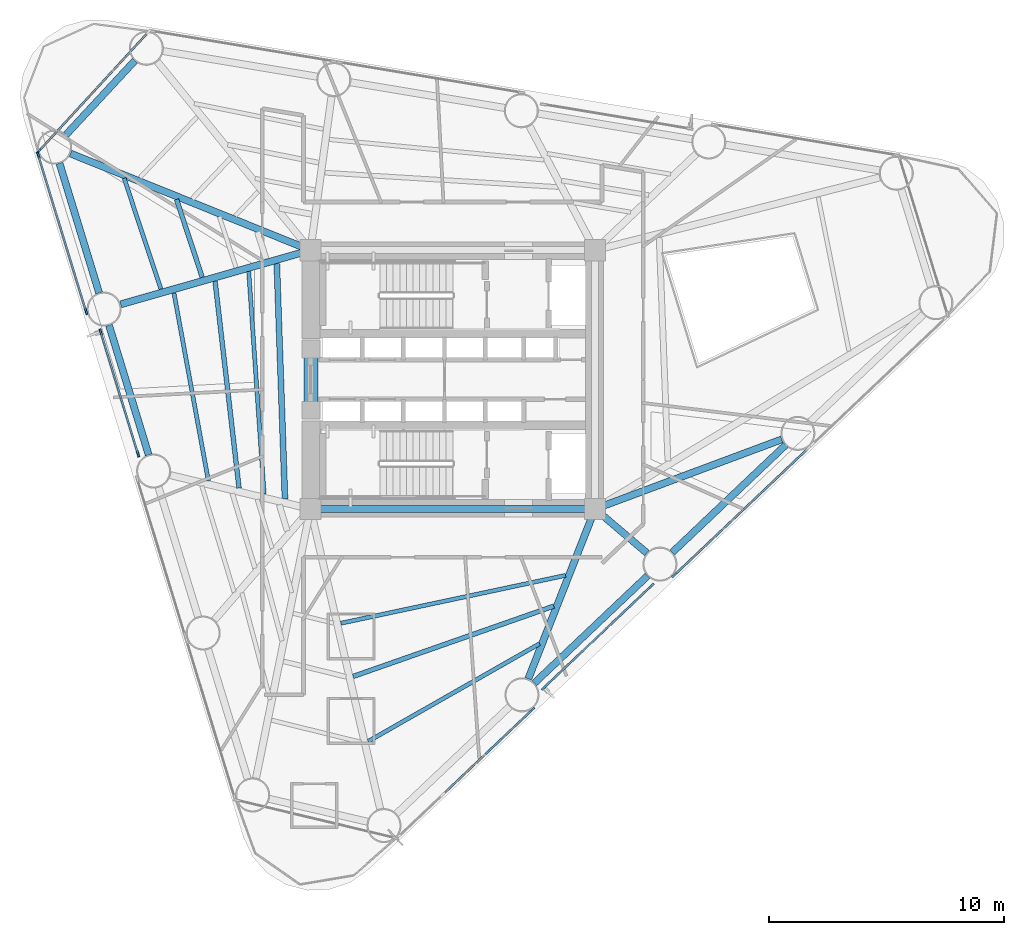
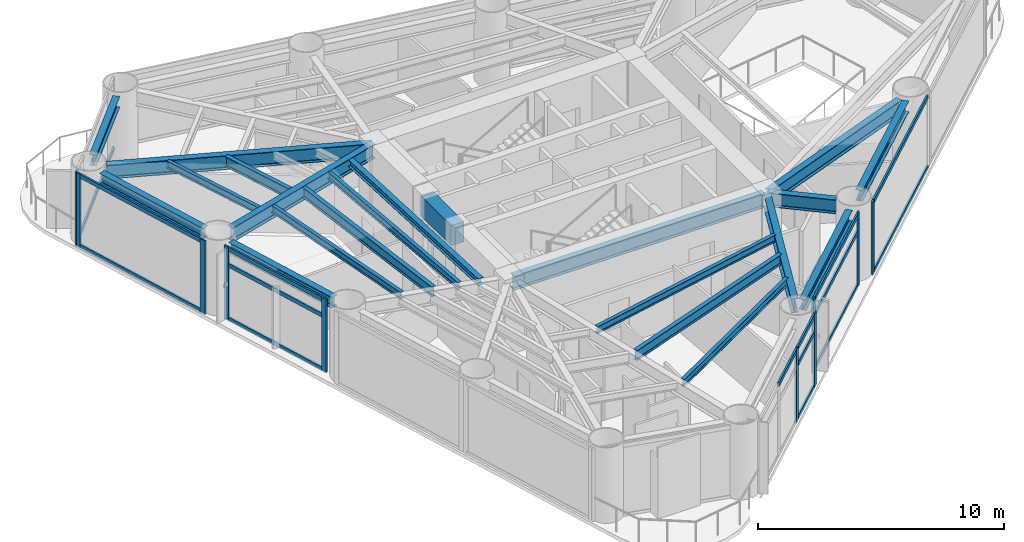
# One storey, part 2 of 10: 25 members, 21 beams, 6 elements without a shape of their own.
"""IFC4 building model written with IfcOpenShell, lengths in metres."""

import ifcopenshell
import ifcopenshell.guid

model = None  # the IFC model being written
_history = None  # IfcOwnerHistory: only IFC2X3 demands one
_inside = {}  # id of a spatial element -> (the spatial element, [elements in it])
_under = {}  # id of a project, library or spatial element -> (it, [spatial elements below it])
_declared = {}  # id of a project -> (the project, [libraries it declares])
_typed = {}  # id of a type object -> (the type object, [elements of that type])
_made_of = {}  # id of a material, layer set ... -> (it, [elements and type objects made of it])


def new_model(schema):
    """Start an empty IFC model of exactly this schema.

    Asked for "IFC4X3", IfcOpenShell would pick the latest addendum, in which some entities
    have other attributes; the version numbers below select the first issue.
    IFC2X3 requires an IfcOwnerHistory on every rooted entity: one is made here for all.
    """
    global model, _history
    if schema == "IFC4X3":
        model = ifcopenshell.file(schema_version=(4, 3, 0, 0))
    else:
        model = ifcopenshell.file(schema=schema)
    _inside.clear()
    _under.clear()
    _declared.clear()
    _typed.clear()
    _made_of.clear()
    _history = None
    if model.schema == "IFC2X3":
        org = make("IfcOrganization", Name="unknown")
        user = make(
            "IfcPersonAndOrganization",
            ThePerson=make("IfcPerson", FamilyName="unknown"),
            TheOrganization=org,
        )
        app = make(
            "IfcApplication",
            ApplicationDeveloper=org,
            Version="unknown",
            ApplicationFullName="unknown",
            ApplicationIdentifier="unknown",
        )
        _history = make(
            "IfcOwnerHistory",
            OwningUser=user,
            OwningApplication=app,
            ChangeAction="ADDED",
            CreationDate=0,
        )
    return model


def make(cls, **values):
    """One entity of the class cls with the attributes given. An attribute that is None is left unset."""
    return model.create_entity(
        cls, **{name: value for name, value in values.items() if value is not None}
    )


def rooted(cls, **values):
    """An entity with a GlobalId (a new one), such as an element, a storey or a relation."""
    return make(cls, GlobalId=ifcopenshell.guid.new(), OwnerHistory=_history, **values)


def si_unit(unit_type, name, prefix=None):
    """IfcSIUnit, for example si_unit("LENGTHUNIT", "METRE", prefix="MILLI")."""
    return make("IfcSIUnit", UnitType=unit_type, Prefix=prefix, Name=name)


def assignment(units):
    """IfcUnitAssignment: the units of a project."""
    return None if units is None else make("IfcUnitAssignment", Units=units)


def point(xyz):
    """IfcCartesianPoint."""
    return None if xyz is None else make("IfcCartesianPoint", Coordinates=xyz)


def direction(xyz):
    """IfcDirection."""
    return None if xyz is None else make("IfcDirection", DirectionRatios=xyz)


def frame(location, z_axis=None, x_axis=None):
    """IfcAxis2Placement3D, a coordinate frame: its origin and axes. An axis left out is left unset."""
    return make(
        "IfcAxis2Placement3D",
        Location=point(location),
        Axis=direction(z_axis),
        RefDirection=direction(x_axis),
    )


def frame_2d(location, x_axis=None):
    """IfcAxis2Placement2D, a coordinate frame in the plane: its origin and x axis."""
    return make(
        "IfcAxis2Placement2D", Location=point(location), RefDirection=direction(x_axis)
    )


def origin():
    """The frame at (0, 0, 0) with its axes left unset."""
    return frame((0.0, 0.0, 0.0))


def origin_2d():
    """The frame at (0, 0) in the plane with its x axis left unset."""
    return frame_2d((0.0, 0.0))


def place(relative_to, where):
    """IfcLocalPlacement: puts the frame where relative to a parent placement (None: the world)."""
    return make(
        "IfcLocalPlacement", PlacementRelTo=relative_to, RelativePlacement=where
    )


def context(
    kind, dimensions, precision=None, world=None, true_north=None, identifier=None
):
    """IfcGeometricRepresentationContext, for example the 3D "Model" context."""
    return make(
        "IfcGeometricRepresentationContext",
        ContextIdentifier=identifier,
        ContextType=kind,
        CoordinateSpaceDimension=dimensions,
        Precision=precision,
        WorldCoordinateSystem=world,
        TrueNorth=true_north,
    )


def subcontext(parent, identifier, kind, view, scale=None):
    """IfcGeometricRepresentationSubContext, for example "Body" below "Model"."""
    return make(
        "IfcGeometricRepresentationSubContext",
        ContextIdentifier=identifier,
        ContextType=kind,
        ParentContext=parent,
        TargetScale=scale,
        TargetView=view,
    )


def project(units=None, contexts=None):
    """IfcProject with its units and contexts."""
    return rooted(
        "IfcProject",
        Name="project",
        RepresentationContexts=contexts,
        UnitsInContext=assignment(units),
    )


def spatial(cls, under=None, at=None, **own):
    """A site, building, storey or space (cls), placed at a placement, below another one or the project."""
    s = rooted(cls, ObjectPlacement=at, **own)
    if under is not None:
        _under.setdefault(under.id(), (under, []))[1].append(s)
    return s


def profile(cls, at=None, kind="AREA", **sizes):
    """A parametric profile (cls). Its sizes go by their IFC names, for example OverallWidth=200.0."""
    return make(cls, ProfileType=kind, Position=at, **sizes)


def rectangle(**sizes):
    """IfcRectangleProfileDef."""
    return profile("IfcRectangleProfileDef", **sizes)


def i_section(**sizes):
    """IfcIShapeProfileDef."""
    return profile("IfcIShapeProfileDef", **sizes)


def extrude(swept, where, along, depth):
    """IfcExtrudedAreaSolid: the profile swept, set in the frame where, extruded along a direction by depth."""
    return make(
        "IfcExtrudedAreaSolid",
        SweptArea=swept,
        Position=where,
        ExtrudedDirection=direction(along),
        Depth=depth,
    )


def shape(context_of_items, identifier, shape_type, items):
    """IfcShapeRepresentation: the items that make up one representation, for example the "Body"."""
    return make(
        "IfcShapeRepresentation",
        ContextOfItems=context_of_items,
        RepresentationIdentifier=identifier,
        RepresentationType=shape_type,
        Items=items,
    )


def source(mapping_origin, context_of_items, identifier, shape_type, items):
    """IfcRepresentationMap: a shape defined once, which mapped items show again and again."""
    return make(
        "IfcRepresentationMap",
        MappingOrigin=mapping_origin,
        MappedRepresentation=shape(context_of_items, identifier, shape_type, items),
    )


def transform(
    local_origin,
    x_axis=None,
    y_axis=None,
    z_axis=None,
    scale=None,
    scale2=None,
    scale3=None,
    uniform=True,
):
    """IfcCartesianTransformationOperator3D, or its non-uniform kind. x_axis, y_axis, z_axis: its Axis1, 2, 3."""
    if uniform:
        return make(
            "IfcCartesianTransformationOperator3D",
            Axis1=direction(x_axis),
            Axis2=direction(y_axis),
            LocalOrigin=point(local_origin),
            Scale=scale,
            Axis3=direction(z_axis),
        )
    return make(
        "IfcCartesianTransformationOperator3DnonUniform",
        Axis1=direction(x_axis),
        Axis2=direction(y_axis),
        LocalOrigin=point(local_origin),
        Scale=scale,
        Axis3=direction(z_axis),
        Scale2=scale2,
        Scale3=scale3,
    )


def mapped(mapping_source, mapping_target):
    """IfcMappedItem: shows the shape of a source again, moved by a transform."""
    return make(
        "IfcMappedItem", MappingSource=mapping_source, MappingTarget=mapping_target
    )


def material(Name=None, Category=None):
    """IfcMaterial."""
    return make("IfcMaterial", Name=Name, Category=Category)


def layer(
    of_material, thickness, ventilated=None, Name=None, Category=None, Priority=None
):
    """IfcMaterialLayer: one layer of a wall or slab, of a material (None: an air gap)."""
    return make(
        "IfcMaterialLayer",
        Material=of_material,
        LayerThickness=thickness,
        IsVentilated=ventilated,
        Name=Name,
        Category=Category,
        Priority=Priority,
    )


def layer_set(layers, Name=None):
    """IfcMaterialLayerSet."""
    return make("IfcMaterialLayerSet", MaterialLayers=layers, LayerSetName=Name)


def material_profile(
    of_material, cross_section, Name=None, Category=None, Priority=None
):
    """IfcMaterialProfile: a cross section and its material."""
    return make(
        "IfcMaterialProfile",
        Name=Name,
        Material=of_material,
        Profile=cross_section,
        Priority=Priority,
        Category=Category,
    )


def profile_set(profiles, Name=None, composite=None):
    """IfcMaterialProfileSet."""
    return make(
        "IfcMaterialProfileSet",
        Name=Name,
        MaterialProfiles=profiles,
        CompositeProfile=composite,
    )


def made_of(thing, what):
    """Note that an element or type object is made of a material, layer set ...; save() writes the relation."""
    if what is not None:
        _made_of.setdefault(what.id(), (what, []))[1].append(thing)
    return thing


def type_object(cls, material=None, **own):
    """A type object (cls), such as IfcWallType, which elements share."""
    return made_of(rooted(cls, **own), material)


def element(
    cls,
    number,
    at=None,
    inside=None,
    cuts=None,
    type_object=None,
    material=None,
    context=None,
    identifier="Body",
    shape_type=None,
    held_by="IfcProductDefinitionShape",
    body=None,
    shapes=None,
    **own,
):
    """One element of the class cls, such as IfcWall. Its Tag is "e" and its number.

    at: its placement. inside: the storey or other place that contains it. cuts: it is an
    opening in that element (IfcRelVoidsElement). A single representation is given by context,
    identifier, shape_type and body (its items); several are given by shapes. held_by: the class
    of the entity that holds the representations. save() writes the other relations.
    """
    e = rooted(cls, Tag="e%d" % number, ObjectPlacement=at, **own)
    if body is not None:
        shapes = [shape(context, identifier, shape_type, body)]
    if shapes is not None:
        e.Representation = make(held_by, Representations=shapes)
    if inside is not None:
        _inside.setdefault(inside.id(), (inside, []))[1].append(e)
    if cuts is not None:
        rooted(
            "IfcRelVoidsElement", RelatingBuildingElement=cuts, RelatedOpeningElement=e
        )
    if type_object is not None:
        _typed.setdefault(type_object.id(), (type_object, []))[1].append(e)
    return made_of(e, material)


def aggregate(whole, parts):
    """IfcRelAggregates: a whole, such as a stair, and the parts it consists of."""
    return rooted("IfcRelAggregates", RelatingObject=whole, RelatedObjects=parts)


def save(model, path):
    """Write the relations noted so far, then the file.

    IfcRelAggregates (storeys below a building ...), IfcRelContainedInSpatialStructure (elements
    in a storey), IfcRelDefinesByType, IfcRelAssociatesMaterial and IfcRelDeclares: one each for
    every whole, place, type object, material and project.
    """
    for whole, parts in _under.values():
        aggregate(whole, parts)
    for where, things in _inside.values():
        rooted(
            "IfcRelContainedInSpatialStructure",
            RelatedElements=things,
            RelatingStructure=where,
        )
    for kind, things in _typed.values():
        rooted("IfcRelDefinesByType", RelatedObjects=things, RelatingType=kind)
    for what, things in _made_of.values():
        rooted("IfcRelAssociatesMaterial", RelatedObjects=things, RelatingMaterial=what)
    for by, libraries in _declared.values():
        rooted("IfcRelDeclares", RelatingContext=by, RelatedDefinitions=libraries)
    model.write(path)


model = new_model("IFC4")

# Units and contexts
model_context = context("Model", 3, precision=1e-05, world=origin(), true_north=direction((0.0, 1.0)))
body_context = subcontext(model_context, "Body", "Model", "MODEL_VIEW")
ifc_project = project(units=[si_unit("LENGTHUNIT", "METRE"), si_unit("AREAUNIT", "SQUARE_METRE"), si_unit("VOLUMEUNIT", "CUBIC_METRE"), si_unit("PLANEANGLEUNIT", "RADIAN"), si_unit("MASSUNIT", "GRAM", prefix="KILO")], contexts=[model_context])

# Site, building, storey
site_placement = place(None, origin())
site = spatial("IfcSite", under=ifc_project, at=site_placement, CompositionType="ELEMENT")
building_placement = place(site_placement, origin())
building = spatial("IfcBuilding", under=site, at=building_placement, Name="Yunling Apex Tower", CompositionType="ELEMENT")
storey_placement = place(building_placement, frame((0.0, 0.0, 101.14990234375)))
storey = spatial("IfcBuildingStorey", under=building, at=storey_placement, Name="L25", CompositionType="ELEMENT", Elevation=101.14990234375)

# Beams
ifc_material_1 = material(Name="Concrete C60", Category="concrete")
ifc_material_profile_1 = material_profile(ifc_material_1, rectangle(XDim=0.60009765625, YDim=1.0, at=origin_2d()))
ifc_profile_set_1 = profile_set([ifc_material_profile_1], Name="Concrete C60")
beam_type_1 = type_object("IfcBeamType", Name="BC-CPL-1", PredefinedType="BEAM", material=ifc_profile_set_1)
shared_shape_1 = source(origin(), body_context, "Body", "SweptSolid", [
    extrude(rectangle(XDim=0.60009765625, YDim=1.0, at=origin_2d()), origin(), (0.0, 0.0, 1.0), 2.5),
])
beam_1_placement = place(storey_placement, frame((-6.02490234375, -1.25, 3.065185546875), z_axis=(0.0, 1.0, 0.0), x_axis=(-1.0, 0.0, 0.0)))
element("IfcBeam", 1, at=beam_1_placement, inside=storey, type_object=beam_type_1, Name="L25 Core West Portal Coupling Beam", PredefinedType="BEAM", context=body_context, shape_type="MappedRepresentation", body=[
    mapped(shared_shape_1, transform((0.0, 0.0, 0.0), scale=1.0)),
])
ifc_material_2 = material(Name="Steel Q355B", Category="steel")
ifc_material_profile_2 = material_profile(ifc_material_2, i_section(OverallWidth=0.300048828125, OverallDepth=0.699951171875, WebThickness=0.012939453125, FlangeThickness=0.02392578125, FilletRadius=0.02587890625, at=origin_2d()))
ifc_profile_set_2 = profile_set([ifc_material_profile_2], Name="Steel Q355B")
beam_type_2 = type_object("IfcBeamType", Name="BG-PRI-3", PredefinedType="USERDEFINED", material=ifc_profile_set_2)
shared_shape_2 = source(origin(), body_context, "Body", "SweptSolid", [
    extrude(i_section(OverallWidth=0.300048828125, OverallDepth=0.699951171875, WebThickness=0.012939453125, FlangeThickness=0.02392578125, FilletRadius=0.02587890625, at=origin_2d()), origin(), (0.0, 0.0, 1.0), 11.7998046875),
])
beam_2_placement = place(storey_placement, frame((-5.89990234375, -5.5, 3.215087890625), z_axis=(1.0, 0.0, 0.0), x_axis=(0.0, 1.0, 0.0)))
element("IfcBeam", 2, at=beam_2_placement, inside=storey, type_object=beam_type_2, Name="L25 Core Ring Tie Beam 1", ObjectType="GIRDER", PredefinedType="USERDEFINED", context=body_context, shape_type="MappedRepresentation", body=[
    mapped(shared_shape_2, transform((0.0, 0.0, 0.0), scale=1.0)),
])
ifc_material_profile_3 = material_profile(ifc_material_2, i_section(OverallWidth=0.300048828125, OverallDepth=0.5400390625, WebThickness=0.011962890625, FlangeThickness=0.02001953125, FilletRadius=0.02392578125, at=origin_2d()))
ifc_profile_set_3 = profile_set([ifc_material_profile_3], Name="Steel Q355B")
beam_type_3 = type_object("IfcBeamType", Name="BP-SPN-1", PredefinedType="SPANDREL", material=ifc_profile_set_3)
shared_shape_3 = source(origin(), body_context, "Body", "SweptSolid", [
    extrude(i_section(OverallWidth=0.300048828125, OverallDepth=0.5400390625, WebThickness=0.011962890625, FlangeThickness=0.02001953125, FilletRadius=0.02392578125, at=origin_2d()), origin(), (0.0, 0.0, 1.0), 6.6416015625),
])
for number, where, z_axis, x_axis, name in (
    (3, (3.465087890625, -12.90771484375, 3.295166015625), (0.725873473547, 0.687828249203, 0.0), (-0.687828249203, 0.725873473547, 0.0), "L25 Perimeter Spandrel Beam 2"),
    (4, (9.330078125, -7.35009765625, 3.295166015625), (0.72585608204, 0.687846602205, 0.0), (-0.687846602205, 0.72585608204, 0.0), "L25 Perimeter Spandrel Beam 3"),
):
    element("IfcBeam", number, at=place(storey_placement, frame(where, z_axis=z_axis, x_axis=x_axis)), inside=storey, type_object=beam_type_3, Name=name, PredefinedType="SPANDREL", context=body_context, shape_type="MappedRepresentation", body=[
        mapped(shared_shape_3, transform((0.0, 0.0, 0.0), scale=1.0)),
    ])
shared_shape_4 = source(origin(), body_context, "Body", "SweptSolid", [
    extrude(i_section(OverallWidth=0.300048828125, OverallDepth=0.5400390625, WebThickness=0.011962890625, FlangeThickness=0.02001953125, FilletRadius=0.02392578125, at=origin_2d()), origin(), (0.0, 0.0, 1.0), 4.296875),
])
beam_3_placement = place(storey_placement, frame((-13.513671875, 13.55810546875, 3.295166015625), z_axis=(-0.680634144105, -0.732623478929, 0.0), x_axis=(0.732623478929, -0.680634144105, 0.0)))
element("IfcBeam", 5, at=beam_3_placement, inside=storey, type_object=beam_type_3, Name="L25 Perimeter Spandrel Beam 10", PredefinedType="SPANDREL", context=body_context, shape_type="MappedRepresentation", body=[
    mapped(shared_shape_4, transform((0.0, 0.0, 0.0), scale=1.0)),
])
shared_shape_5 = source(origin(), body_context, "Body", "SweptSolid", [
    extrude(i_section(OverallWidth=0.300048828125, OverallDepth=0.5400390625, WebThickness=0.011962890625, FlangeThickness=0.02001953125, FilletRadius=0.02392578125, at=origin_2d()), origin(), (0.0, 0.0, 1.0), 5.76220703125),
])
for number, where, z_axis, x_axis, name in (
    (6, (-16.71728515625, 9.19580078125, 3.295166015625), (0.292346626925, -0.956312422656, 0.0), (0.956312422656, 0.292346626925, 0.0), "L25 Perimeter Spandrel Beam 11"),
    (7, (-14.6123046875, 2.31005859375, 3.295166015625), (0.292385374143, -0.956300576695, 0.0), (0.956300576695, 0.292385374143, 0.0), "L25 Perimeter Spandrel Beam 12"),
):
    element("IfcBeam", number, at=place(storey_placement, frame(where, z_axis=z_axis, x_axis=x_axis)), inside=storey, type_object=beam_type_3, Name=name, PredefinedType="SPANDREL", context=body_context, shape_type="MappedRepresentation", body=[
        mapped(shared_shape_5, transform((0.0, 0.0, 0.0), scale=1.0)),
    ])
shared_shape_6 = source(origin(), body_context, "Body", "SweptSolid", [
    extrude(i_section(OverallWidth=0.300048828125, OverallDepth=0.699951171875, WebThickness=0.012939453125, FlangeThickness=0.02392578125, FilletRadius=0.02587890625, at=origin_2d()), origin(), (0.0, 0.0, 1.0), 7.67822265625),
])
beam_4_placement = place(storey_placement, frame((3.21142578125, -12.72021484375, 3.215087890625), z_axis=(0.365885513893, 0.930659868439, 0.0), x_axis=(-0.930659868439, 0.365885513893, 0.0)))
element("IfcBeam", 8, at=beam_4_placement, inside=storey, type_object=beam_type_2, Name="L25 Radial Primary Girder R02", ObjectType="GIRDER", PredefinedType="USERDEFINED", context=body_context, shape_type="MappedRepresentation", body=[
    mapped(shared_shape_6, transform((0.0, 0.0, 0.0), scale=1.0)),
])
shared_shape_7 = source(origin(), body_context, "Body", "SweptSolid", [
    extrude(i_section(OverallWidth=0.300048828125, OverallDepth=0.699951171875, WebThickness=0.012939453125, FlangeThickness=0.02392578125, FilletRadius=0.02587890625, at=origin_2d()), origin(), (0.0, 0.0, 1.0), 2.80712890625),
])
beam_5_placement = place(storey_placement, frame((8.24951171875, -7.3701171875, 3.215087890625), z_axis=(-0.761816983267, 0.647792315489, 0.0), x_axis=(-0.647792315489, -0.761816983267, 0.0)))
element("IfcBeam", 9, at=beam_5_placement, inside=storey, type_object=beam_type_2, Name="L25 Radial Primary Girder R03", ObjectType="GIRDER", PredefinedType="USERDEFINED", context=body_context, shape_type="MappedRepresentation", body=[
    mapped(shared_shape_7, transform((0.0, 0.0, 0.0), scale=1.0)),
])
shared_shape_8 = source(origin(), body_context, "Body", "SweptSolid", [
    extrude(i_section(OverallWidth=0.300048828125, OverallDepth=0.699951171875, WebThickness=0.012939453125, FlangeThickness=0.02392578125, FilletRadius=0.02587890625, at=origin_2d()), origin(), (0.0, 0.0, 1.0), 8.388916015625),
])
beam_6_placement = place(storey_placement, frame((13.98583984375, -2.54296875, 3.215087890625), z_axis=(-0.937056723422, -0.349177171489, 0.0), x_axis=(0.349177171489, -0.937056723422, 0.0)))
element("IfcBeam", 10, at=beam_6_placement, inside=storey, type_object=beam_type_2, Name="L25 Radial Primary Girder R04", ObjectType="GIRDER", PredefinedType="USERDEFINED", context=body_context, shape_type="MappedRepresentation", body=[
    mapped(shared_shape_8, transform((0.0, 0.0, 0.0), scale=1.0)),
])
shared_shape_9 = source(origin(), body_context, "Body", "SweptSolid", [
    extrude(i_section(OverallWidth=0.300048828125, OverallDepth=0.699951171875, WebThickness=0.012939453125, FlangeThickness=0.02392578125, FilletRadius=0.02587890625, at=origin_2d()), origin(), (0.0, 0.0, 1.0), 10.91455078125),
])
beam_7_placement = place(storey_placement, frame((-16.247802734375, 9.609375, 3.215087890625), z_axis=(0.927520283233, -0.373772824309, 0.0), x_axis=(0.373772824309, 0.927520283233, 0.0)))
element("IfcBeam", 11, at=beam_7_placement, inside=storey, type_object=beam_type_2, Name="L25 Radial Primary Girder R11", ObjectType="GIRDER", PredefinedType="USERDEFINED", context=body_context, shape_type="MappedRepresentation", body=[
    mapped(shared_shape_9, transform((0.0, 0.0, 0.0), scale=1.0)),
])
shared_shape_10 = source(origin(), body_context, "Body", "SweptSolid", [
    extrude(i_section(OverallWidth=0.300048828125, OverallDepth=0.699951171875, WebThickness=0.012939453125, FlangeThickness=0.02392578125, FilletRadius=0.02587890625, at=origin_2d()), origin(), (0.0, 0.0, 1.0), 8.309326171875),
])
beam_8_placement = place(storey_placement, frame((-14.117431640625, 3.19873046875, 3.215087890625), z_axis=(0.961641387397, 0.274309755652, 0.0), x_axis=(-0.274309755652, 0.961641387397, 0.0)))
element("IfcBeam", 12, at=beam_8_placement, inside=storey, type_object=beam_type_2, Name="L25 Radial Primary Girder R12", ObjectType="GIRDER", PredefinedType="USERDEFINED", context=body_context, shape_type="MappedRepresentation", body=[
    mapped(shared_shape_10, transform((0.0, 0.0, 0.0), scale=1.0)),
])
ifc_material_profile_4 = material_profile(ifc_material_2, i_section(OverallWidth=0.199951171875, OverallDepth=0.5, WebThickness=0.010009765625, FlangeThickness=0.01611328125, FilletRadius=0.02001953125, at=origin_2d()))
ifc_profile_set_4 = profile_set([ifc_material_profile_4], Name="Steel Q355B")
beam_type_4 = type_object("IfcBeamType", Name="BS-SEC-2", PredefinedType="BEAM", material=ifc_profile_set_4)
shared_shape_11 = source(origin(), body_context, "Body", "SweptSolid", [
    extrude(i_section(OverallWidth=0.199951171875, OverallDepth=0.5, WebThickness=0.010009765625, FlangeThickness=0.01611328125, FilletRadius=0.02001953125, at=origin_2d()), origin(), (0.0, 0.0, 1.0), 9.03759765625),
])
beam_9_placement = place(storey_placement, frame((-4.23193359375, -12.619140625, 3.315185546875), z_axis=(0.943677540759, 0.330866588018, 0.0), x_axis=(-0.330866588018, 0.943677540759, 0.0)))
element("IfcBeam", 13, at=beam_9_placement, inside=storey, type_object=beam_type_4, Name="L25 Composite Floor Beam BS-1", PredefinedType="BEAM", context=body_context, shape_type="MappedRepresentation", body=[
    mapped(shared_shape_11, transform((0.0, 0.0, 0.0), scale=1.0)),
])
ifc_material_profile_5 = material_profile(ifc_material_2, i_section(OverallWidth=0.175048828125, OverallDepth=0.35009765625, WebThickness=0.007080078125, FlangeThickness=0.010986328125, FilletRadius=0.013916015625, at=origin_2d()))
ifc_profile_set_5 = profile_set([ifc_material_profile_5], Name="Steel Q355B")
beam_type_5 = type_object("IfcBeamType", Name="BJ-JST-1", PredefinedType="JOIST", material=ifc_profile_set_5)
shared_shape_12 = source(origin(), body_context, "Body", "SweptSolid", [
    extrude(i_section(OverallWidth=0.175048828125, OverallDepth=0.35009765625, WebThickness=0.007080078125, FlangeThickness=0.010986328125, FilletRadius=0.013916015625, at=origin_2d()), origin(), (0.0, 0.0, 1.0), 8.38671875),
])
beam_10_placement = place(storey_placement, frame((-3.59619140625, -15.3798828125, 3.39013671875), z_axis=(0.868817593772, 0.495132294192, 0.0), x_axis=(-0.495132294192, 0.868817593772, 0.0)))
element("IfcBeam", 14, at=beam_10_placement, inside=storey, type_object=beam_type_5, Name="L25 Composite Floor Joist BJ1-1", PredefinedType="JOIST", context=body_context, shape_type="MappedRepresentation", body=[
    mapped(shared_shape_12, transform((0.0, 0.0, 0.0), scale=1.0)),
])
shared_shape_13 = source(origin(), body_context, "Body", "SweptSolid", [
    extrude(i_section(OverallWidth=0.175048828125, OverallDepth=0.35009765625, WebThickness=0.007080078125, FlangeThickness=0.010986328125, FilletRadius=0.013916015625, at=origin_2d()), origin(), (0.0, 0.0, 1.0), 9.767578125),
])
beam_11_placement = place(storey_placement, frame((-4.756591796875, -10.3583984375, 3.39013671875), z_axis=(0.978052637888, 0.208357955263, 0.0), x_axis=(-0.208357955263, 0.978052637888, 0.0)))
element("IfcBeam", 15, at=beam_11_placement, inside=storey, type_object=beam_type_5, Name="L25 Composite Floor Joist BJ3-1", PredefinedType="JOIST", context=body_context, shape_type="MappedRepresentation", body=[
    mapped(shared_shape_13, transform((0.0, 0.0, 0.0), scale=1.0)),
])
shared_shape_14 = source(origin(), body_context, "Body", "SweptSolid", [
    extrude(i_section(OverallWidth=0.199951171875, OverallDepth=0.5, WebThickness=0.010009765625, FlangeThickness=0.01611328125, FilletRadius=0.02001953125, at=origin_2d()), origin(), (0.0, 0.0, 1.0), 3.484130859375),
])
beam_12_placement = place(storey_placement, frame((-11.7431640625, 7.662353515625, 3.315185546875), z_axis=(0.313220106306, -0.949680559455, 0.0), x_axis=(0.949680559455, 0.313220106306, 0.0)))
element("IfcBeam", 16, at=beam_12_placement, inside=storey, type_object=beam_type_4, Name="L25 Composite Floor Beam BS-11", PredefinedType="BEAM", context=body_context, shape_type="MappedRepresentation", body=[
    mapped(shared_shape_14, transform((0.0, 0.0, 0.0), scale=1.0)),
])
shared_shape_15 = source(origin(), body_context, "Body", "SweptSolid", [
    extrude(i_section(OverallWidth=0.175048828125, OverallDepth=0.35009765625, WebThickness=0.007080078125, FlangeThickness=0.010986328125, FilletRadius=0.013916015625, at=origin_2d()), origin(), (0.0, 0.0, 1.0), 4.959716796875),
])
beam_13_placement = place(storey_placement, frame((-13.97021484375, 8.56005859375, 3.39013671875), z_axis=(0.314588147489, -0.949228264149, 0.0), x_axis=(0.949228264149, 0.314588147489, 0.0)))
element("IfcBeam", 17, at=beam_13_placement, inside=storey, type_object=beam_type_5, Name="L25 Composite Floor Joist BJ1-11", PredefinedType="JOIST", context=body_context, shape_type="MappedRepresentation", body=[
    mapped(shared_shape_15, transform((0.0, 0.0, 0.0), scale=1.0)),
])
shared_shape_16 = source(origin(), body_context, "Body", "SweptSolid", [
    extrude(i_section(OverallWidth=0.199951171875, OverallDepth=0.5, WebThickness=0.010009765625, FlangeThickness=0.01611328125, FilletRadius=0.02001953125, at=origin_2d()), origin(), (0.0, 0.0, 1.0), 8.85009765625),
])
beam_14_placement = place(storey_placement, frame((-10.103759765625, 4.179443359375, 3.315185546875), z_axis=(0.115144483353, -0.993348754443, 0.0), x_axis=(0.993348754443, 0.115144483353, 0.0)))
element("IfcBeam", 18, at=beam_14_placement, inside=storey, type_object=beam_type_4, Name="L25 Composite Floor Beam BS-12", PredefinedType="BEAM", context=body_context, shape_type="MappedRepresentation", body=[
    mapped(shared_shape_16, transform((0.0, 0.0, 0.0), scale=1.0)),
])
shared_shape_17 = source(origin(), body_context, "Body", "SweptSolid", [
    extrude(i_section(OverallWidth=0.175048828125, OverallDepth=0.35009765625, WebThickness=0.007080078125, FlangeThickness=0.010986328125, FilletRadius=0.013916015625, at=origin_2d()), origin(), (0.0, 0.0, 1.0), 8.113525390625),
])
beam_15_placement = place(storey_placement, frame((-11.851318359375, 3.6796875, 3.39013671875), z_axis=(0.180333691295, -0.983605489912, 0.0), x_axis=(0.983605489912, 0.180333691295, 0.0)))
element("IfcBeam", 19, at=beam_15_placement, inside=storey, type_object=beam_type_5, Name="L25 Composite Floor Joist BJ1-12", PredefinedType="JOIST", context=body_context, shape_type="MappedRepresentation", body=[
    mapped(shared_shape_17, transform((0.0, 0.0, 0.0), scale=1.0)),
])
shared_shape_18 = source(origin(), body_context, "Body", "SweptSolid", [
    extrude(i_section(OverallWidth=0.175048828125, OverallDepth=0.35009765625, WebThickness=0.007080078125, FlangeThickness=0.010986328125, FilletRadius=0.013916015625, at=origin_2d()), origin(), (0.0, 0.0, 1.0), 9.478515625),
])
beam_16_placement = place(storey_placement, frame((-8.6728515625, 4.589111328125, 3.39013671875), z_axis=(0.068925846819, -0.997621785869, 0.0), x_axis=(0.997621785869, 0.068925846819, 0.0)))
element("IfcBeam", 20, at=beam_16_placement, inside=storey, type_object=beam_type_5, Name="L25 Composite Floor Joist BJ3-12", PredefinedType="JOIST", context=body_context, shape_type="MappedRepresentation", body=[
    mapped(shared_shape_18, transform((0.0, 0.0, 0.0), scale=1.0)),
])
ifc_material_profile_6 = material_profile(ifc_material_2, i_section(OverallWidth=0.25, OverallDepth=0.340087890625, WebThickness=0.009033203125, FlangeThickness=0.013916015625, FilletRadius=0.01806640625, at=origin_2d()))
ifc_profile_set_6 = profile_set([ifc_material_profile_6], Name="Steel Q355B")
beam_type_6 = type_object("IfcBeamType", Name="BJ-JST-2", PredefinedType="JOIST", material=ifc_profile_set_6)
shared_shape_19 = source(origin(), body_context, "Body", "SweptSolid", [
    extrude(i_section(OverallWidth=0.25, OverallDepth=0.340087890625, WebThickness=0.009033203125, FlangeThickness=0.013916015625, FilletRadius=0.01806640625, at=origin_2d()), origin(), (0.0, 0.0, 1.0), 10.016357421875),
])
beam_17_placement = place(storey_placement, frame((-7.479736328125, 4.9306640625, 3.39501953125), z_axis=(0.034684741857, -0.999398303322, 0.0), x_axis=(0.999398303322, 0.034684741857, 0.0)))
element("IfcBeam", 21, at=beam_17_placement, inside=storey, type_object=beam_type_6, Name="L25 Composite Floor Joist BJ2-12", PredefinedType="JOIST", context=body_context, shape_type="MappedRepresentation", body=[
    mapped(shared_shape_19, transform((0.0, 0.0, 0.0), scale=1.0)),
])

# Curtain wall, members
ifc_material_3 = material(Name="Bronze anodised aluminium", Category="aluminium")
ifc_layer = layer(ifc_material_3, 0.260009765625)
ifc_layer_set = layer_set([ifc_layer], Name="Bronze anodised aluminium")
curtain_wall_type = type_object("IfcCurtainWallType", Name="CW-SYS-2", PredefinedType="NOTDEFINED", material=ifc_layer_set)
curtain_wall_1_placement = place(storey_placement, origin())
curtain_wall_1 = element("IfcCurtainWall", 22, at=curtain_wall_1_placement, inside=storey, type_object=curtain_wall_type, Name="CW-L25-F1-B1", PredefinedType="NOTDEFINED")
ifc_material_profile_7 = material_profile(ifc_material_3, rectangle(XDim=0.0849609375, YDim=0.260009765625, at=origin_2d()))
ifc_profile_set_7 = profile_set([ifc_material_profile_7], Name="Bronze anodised aluminium")
member_type_1 = type_object("IfcMemberType", Name="CW-MUL-2", PredefinedType="MULLION", material=ifc_profile_set_7)
shared_shape_20 = source(origin(), body_context, "Body", "SweptSolid", [
    extrude(rectangle(XDim=0.0849609375, YDim=0.260009765625, at=origin_2d()), origin(), (0.0, 0.0, 1.0), 3.664794921875),
])
member_1_placement = place(storey_placement, frame((1.491943359375, -15.824951171875, -0.0498046875), z_axis=(0.0, 0.0, 1.0), x_axis=(-0.687861264918, 0.72584218686, 0.0)))
member_1 = element("IfcMember", 23, at=member_1_placement, type_object=member_type_1, Name="CW-SYS-2 mullion 3", PredefinedType="MULLION", context=body_context, shape_type="MappedRepresentation", body=[
    mapped(shared_shape_20, transform((0.0, 0.0, 0.0), scale=1.0)),
])
member_2_placement = place(storey_placement, frame((3.377197265625, -14.038330078125, -0.0498046875), z_axis=(0.0, 0.0, 1.0), x_axis=(-0.687861264918, 0.72584218686, 0.0)))
member_2 = element("IfcMember", 24, at=member_2_placement, type_object=member_type_1, Name="CW-SYS-2 mullion 4", PredefinedType="MULLION", context=body_context, shape_type="MappedRepresentation", body=[
    mapped(shared_shape_20, transform((0.0, 0.0, 0.0), scale=1.0)),
])

curtain_wall_2_placement = place(storey_placement, origin())
curtain_wall_2 = element("IfcCurtainWall", 25, at=curtain_wall_2_placement, inside=storey, type_object=curtain_wall_type, Name="CW-L25-F1-B2", PredefinedType="NOTDEFINED")
member_3_placement = place(storey_placement, frame((3.87646484375, -13.096923828125, -0.0498046875), z_axis=(0.0, 0.0, 1.0), x_axis=(-0.687844480924, 0.725858092234, 0.0)))
member_3 = element("IfcMember", 26, at=member_3_placement, type_object=member_type_1, Name="CW-SYS-2 mullion 1", PredefinedType="MULLION", context=body_context, shape_type="MappedRepresentation", body=[
    mapped(shared_shape_20, transform((0.0, 0.0, 0.0), scale=1.0)),
])
member_4_placement = place(storey_placement, frame((8.452880859375, -8.76025390625, -0.0498046875), z_axis=(0.0, 0.0, 1.0), x_axis=(-0.687844480924, 0.725858092234, 0.0)))
member_4 = element("IfcMember", 27, at=member_4_placement, type_object=member_type_1, Name="CW-SYS-2 mullion 2", PredefinedType="MULLION", context=body_context, shape_type="MappedRepresentation", body=[
    mapped(shared_shape_20, transform((0.0, 0.0, 0.0), scale=1.0)),
])

# Curtain wall, member
curtain_wall_3_placement = place(storey_placement, origin())
curtain_wall_3 = element("IfcCurtainWall", 28, at=curtain_wall_3_placement, inside=storey, type_object=curtain_wall_type, Name="CW-L25-F1-B3", PredefinedType="NOTDEFINED")
member_5_placement = place(storey_placement, frame((9.419921875, -8.312255859375, -0.0498046875), z_axis=(0.0, 0.0, 1.0), x_axis=(-0.687861264918, 0.72584218686, 0.0)))
member_5 = element("IfcMember", 29, at=member_5_placement, type_object=member_type_1, Name="CW-SYS-2 mullion 1", PredefinedType="MULLION", context=body_context, shape_type="MappedRepresentation", body=[
    mapped(shared_shape_20, transform((0.0, 0.0, 0.0), scale=1.0)),
])

curtain_wall_4_placement = place(storey_placement, origin())
curtain_wall_4 = element("IfcCurtainWall", 30, at=curtain_wall_4_placement, inside=storey, type_object=curtain_wall_type, Name="CW-L25-CRN2", PredefinedType="NOTDEFINED")
member_6_placement = place(storey_placement, frame((-17.6064453125, 9.6982421875, -0.0498046875), z_axis=(0.0, 0.0, 1.0), x_axis=(0.736184624933, -0.676780760669, 0.0)))
member_6 = element("IfcMember", 31, at=member_6_placement, type_object=member_type_1, Name="CW-SYS-2 mullion 2", PredefinedType="MULLION", context=body_context, shape_type="MappedRepresentation", body=[
    mapped(shared_shape_20, transform((0.0, 0.0, 0.0), scale=1.0)),
])

# Curtain wall, members
curtain_wall_5_placement = place(storey_placement, origin())
curtain_wall_5 = element("IfcCurtainWall", 32, at=curtain_wall_5_placement, inside=storey, type_object=curtain_wall_type, Name="CW-L25-F3-B1", PredefinedType="NOTDEFINED")
member_7_placement = place(storey_placement, frame((-17.61865234375, 9.5439453125, -0.0498046875), z_axis=(0.0, 0.0, 1.0), x_axis=(0.956304476342, 0.292372619321, 0.0)))
member_7 = element("IfcMember", 33, at=member_7_placement, type_object=member_type_1, Name="CW-SYS-2 mullion 1", PredefinedType="MULLION", context=body_context, shape_type="MappedRepresentation", body=[
    mapped(shared_shape_20, transform((0.0, 0.0, 0.0), scale=1.0)),
])
member_8_placement = place(storey_placement, frame((-15.5849609375, 2.892578125, -0.0498046875), z_axis=(0.0, 0.0, 1.0), x_axis=(0.956304476342, 0.292372619321, 0.0)))
member_8 = element("IfcMember", 34, at=member_8_placement, type_object=member_type_1, Name="CW-SYS-2 mullion 2", PredefinedType="MULLION", context=body_context, shape_type="MappedRepresentation", body=[
    mapped(shared_shape_20, transform((0.0, 0.0, 0.0), scale=1.0)),
])

curtain_wall_6_placement = place(storey_placement, origin())
curtain_wall_6 = element("IfcCurtainWall", 35, at=curtain_wall_6_placement, inside=storey, type_object=curtain_wall_type, Name="CW-L25-F3-B2", PredefinedType="NOTDEFINED")
member_9_placement = place(storey_placement, frame((-14.964599609375, 2.026123046875, -0.0498046875), z_axis=(0.0, 0.0, 1.0), x_axis=(0.956307182672, 0.292363767199, 0.0)))
member_9 = element("IfcMember", 36, at=member_9_placement, type_object=member_type_1, Name="CW-SYS-2 mullion 1", PredefinedType="MULLION", context=body_context, shape_type="MappedRepresentation", body=[
    mapped(shared_shape_20, transform((0.0, 0.0, 0.0), scale=1.0)),
])
member_10_placement = place(storey_placement, frame((-13.37841796875, -3.162109375, -0.0498046875), z_axis=(0.0, 0.0, 1.0), x_axis=(0.956307182672, 0.292363767199, 0.0)))
member_10 = element("IfcMember", 37, at=member_10_placement, type_object=member_type_1, Name="CW-SYS-2 mullion 2", PredefinedType="MULLION", context=body_context, shape_type="MappedRepresentation", body=[
    mapped(shared_shape_20, transform((0.0, 0.0, 0.0), scale=1.0)),
])

# Member
ifc_material_profile_8 = material_profile(ifc_material_3, rectangle(XDim=0.0849609375, YDim=0.199951171875, at=origin_2d()))
ifc_profile_set_8 = profile_set([ifc_material_profile_8], Name="Bronze anodised aluminium")
member_type_2 = type_object("IfcMemberType", Name="CW-TRN-2", PredefinedType="USERDEFINED", material=ifc_profile_set_8)
shared_shape_21 = source(origin(), body_context, "Body", "SweptSolid", [
    extrude(rectangle(XDim=0.0849609375, YDim=0.199951171875, at=origin_2d()), origin(), (0.0, 0.0, 1.0), 2.563232421875),
])
member_11_placement = place(storey_placement, frame((-0.396484375, -17.614501953125, 3.522705078125), z_axis=(0.725852566003, 0.687850312515, 0.0), x_axis=(-0.687850312515, 0.725852566003, 0.0)))
member_11 = element("IfcMember", 38, at=member_11_placement, type_object=member_type_2, Name="CW-SYS-2 transom 2.3", ObjectType="TRANSOM", PredefinedType="USERDEFINED", context=body_context, shape_type="MappedRepresentation", body=[
    mapped(shared_shape_21, transform((0.0, 0.0, 0.0), scale=1.0)),
])

shared_shape_22 = source(origin(), body_context, "Body", "SweptSolid", [
    extrude(rectangle(XDim=0.0849609375, YDim=0.199951171875, at=origin_2d()), origin(), (0.0, 0.0, 1.0), 2.520751953125),
])
member_12_placement = place(storey_placement, frame((1.51953125, -15.798583984375, 0.04248046875), z_axis=(0.725881421947, 0.687819861063, 0.0), x_axis=(-0.687819861063, 0.725881421947, 0.0)))
member_12 = element("IfcMember", 39, at=member_12_placement, type_object=member_type_2, Name="CW-SYS-2 transom 3.1", ObjectType="TRANSOM", PredefinedType="USERDEFINED", context=body_context, shape_type="MappedRepresentation", body=[
    mapped(shared_shape_22, transform((0.0, 0.0, 0.0), scale=1.0)),
])

member_13_placement = place(storey_placement, frame((1.51953125, -15.798583984375, 2.715087890625), z_axis=(0.725881421947, 0.687819861063, 0.0), x_axis=(-0.687819861063, 0.725881421947, 0.0)))
member_13 = element("IfcMember", 40, at=member_13_placement, type_object=member_type_2, Name="CW-SYS-2 transom 3.2", ObjectType="TRANSOM", PredefinedType="USERDEFINED", context=body_context, shape_type="MappedRepresentation", body=[
    mapped(shared_shape_22, transform((0.0, 0.0, 0.0), scale=1.0)),
])

member_14_placement = place(storey_placement, frame((1.51953125, -15.798583984375, 3.522705078125), z_axis=(0.725881421947, 0.687819861063, 0.0), x_axis=(-0.687819861063, 0.725881421947, 0.0)))
member_14 = element("IfcMember", 41, at=member_14_placement, type_object=member_type_2, Name="CW-SYS-2 transom 3.3", ObjectType="TRANSOM", PredefinedType="USERDEFINED", context=body_context, shape_type="MappedRepresentation", body=[
    mapped(shared_shape_22, transform((0.0, 0.0, 0.0), scale=1.0)),
])

aggregate(curtain_wall_1, [member_1, member_2, member_11, member_12, member_13, member_14])

shared_shape_23 = source(origin(), body_context, "Body", "SweptSolid", [
    extrude(rectangle(XDim=0.0849609375, YDim=0.199951171875, at=origin_2d()), origin(), (0.0, 0.0, 1.0), 6.228271484375),
])
member_15_placement = place(storey_placement, frame((3.904296875, -13.070556640625, 0.04248046875), z_axis=(0.725843490466, 0.687859889329, 0.0), x_axis=(-0.687859889329, 0.725843490466, 0.0)))
member_15 = element("IfcMember", 42, at=member_15_placement, type_object=member_type_2, Name="CW-SYS-2 transom 1.1", ObjectType="TRANSOM", PredefinedType="USERDEFINED", context=body_context, shape_type="MappedRepresentation", body=[
    mapped(shared_shape_23, transform((0.0, 0.0, 0.0), scale=1.0)),
])

member_16_placement = place(storey_placement, frame((3.904296875, -13.070556640625, 2.715087890625), z_axis=(0.725843490466, 0.687859889329, 0.0), x_axis=(-0.687859889329, 0.725843490466, 0.0)))
member_16 = element("IfcMember", 43, at=member_16_placement, type_object=member_type_2, Name="CW-SYS-2 transom 1.2", ObjectType="TRANSOM", PredefinedType="USERDEFINED", context=body_context, shape_type="MappedRepresentation", body=[
    mapped(shared_shape_23, transform((0.0, 0.0, 0.0), scale=1.0)),
])

member_17_placement = place(storey_placement, frame((3.904296875, -13.070556640625, 3.522705078125), z_axis=(0.725843490466, 0.687859889329, 0.0), x_axis=(-0.687859889329, 0.725843490466, 0.0)))
member_17 = element("IfcMember", 44, at=member_17_placement, type_object=member_type_2, Name="CW-SYS-2 transom 1.3", ObjectType="TRANSOM", PredefinedType="USERDEFINED", context=body_context, shape_type="MappedRepresentation", body=[
    mapped(shared_shape_23, transform((0.0, 0.0, 0.0), scale=1.0)),
])

aggregate(curtain_wall_2, [member_3, member_4, member_15, member_16, member_17])

shared_shape_24 = source(origin(), body_context, "Body", "SweptSolid", [
    extrude(rectangle(XDim=0.0849609375, YDim=0.199951171875, at=origin_2d()), origin(), (0.0, 0.0, 1.0), 7.75830078125),
])
member_18_placement = place(storey_placement, frame((9.447509765625, -8.285888671875, 0.04248046875), z_axis=(0.725858408627, 0.687844147046, 0.0), x_axis=(-0.687844147046, 0.725858408627, 0.0)))
member_18 = element("IfcMember", 45, at=member_18_placement, type_object=member_type_2, Name="CW-SYS-2 transom 1.1", ObjectType="TRANSOM", PredefinedType="USERDEFINED", context=body_context, shape_type="MappedRepresentation", body=[
    mapped(shared_shape_24, transform((0.0, 0.0, 0.0), scale=1.0)),
])

member_19_placement = place(storey_placement, frame((9.447509765625, -8.285888671875, 3.522705078125), z_axis=(0.725858408627, 0.687844147046, 0.0), x_axis=(-0.687844147046, 0.725858408627, 0.0)))
member_19 = element("IfcMember", 46, at=member_19_placement, type_object=member_type_2, Name="CW-SYS-2 transom 1.2", ObjectType="TRANSOM", PredefinedType="USERDEFINED", context=body_context, shape_type="MappedRepresentation", body=[
    mapped(shared_shape_24, transform((0.0, 0.0, 0.0), scale=1.0)),
])

aggregate(curtain_wall_3, [member_5, member_18, member_19])

shared_shape_25 = source(origin(), body_context, "Body", "SweptSolid", [
    extrude(rectangle(XDim=0.0849609375, YDim=0.199951171875, at=origin_2d()), origin(), (0.0, 0.0, 1.0), 6.831298828125),
])
member_20_placement = place(storey_placement, frame((-12.957275390625, 14.755615234375, 0.04248046875), z_axis=(-0.676783953504, -0.73618168972, 0.0), x_axis=(0.73618168972, -0.676783953504, 0.0)))
member_20 = element("IfcMember", 47, at=member_20_placement, type_object=member_type_2, Name="CW-SYS-2 transom 1.1", ObjectType="TRANSOM", PredefinedType="USERDEFINED", context=body_context, shape_type="MappedRepresentation", body=[
    mapped(shared_shape_25, transform((0.0, 0.0, 0.0), scale=1.0)),
])

aggregate(curtain_wall_4, [member_6, member_20])

shared_shape_26 = source(origin(), body_context, "Body", "SweptSolid", [
    extrude(rectangle(XDim=0.0849609375, YDim=0.199951171875, at=origin_2d()), origin(), (0.0, 0.0, 1.0), 6.878662109375),
])
member_21_placement = place(storey_placement, frame((-17.607421875, 9.50732421875, 0.04248046875), z_axis=(0.29238444517, -0.956300860725, 0.0), x_axis=(0.956300860725, 0.29238444517, 0.0)))
member_21 = element("IfcMember", 48, at=member_21_placement, type_object=member_type_2, Name="CW-SYS-2 transom 1.1", ObjectType="TRANSOM", PredefinedType="USERDEFINED", context=body_context, shape_type="MappedRepresentation", body=[
    mapped(shared_shape_26, transform((0.0, 0.0, 0.0), scale=1.0)),
])

member_22_placement = place(storey_placement, frame((-17.607421875, 9.50732421875, 3.522705078125), z_axis=(0.29238444517, -0.956300860725, 0.0), x_axis=(0.956300860725, 0.29238444517, 0.0)))
member_22 = element("IfcMember", 49, at=member_22_placement, type_object=member_type_2, Name="CW-SYS-2 transom 1.2", ObjectType="TRANSOM", PredefinedType="USERDEFINED", context=body_context, shape_type="MappedRepresentation", body=[
    mapped(shared_shape_26, transform((0.0, 0.0, 0.0), scale=1.0)),
])

aggregate(curtain_wall_5, [member_7, member_8, member_21, member_22])

shared_shape_27 = source(origin(), body_context, "Body", "SweptSolid", [
    extrude(rectangle(XDim=0.0849609375, YDim=0.199951171875, at=origin_2d()), origin(), (0.0, 0.0, 1.0), 5.3486328125),
])
member_23_placement = place(storey_placement, frame((-14.953369140625, 1.989501953125, 0.04248046875), z_axis=(0.292356530711, -0.956309394992, 0.0), x_axis=(0.956309394992, 0.292356530711, 0.0)))
member_23 = element("IfcMember", 50, at=member_23_placement, type_object=member_type_2, Name="CW-SYS-2 transom 1.1", ObjectType="TRANSOM", PredefinedType="USERDEFINED", context=body_context, shape_type="MappedRepresentation", body=[
    mapped(shared_shape_27, transform((0.0, 0.0, 0.0), scale=1.0)),
])

member_24_placement = place(storey_placement, frame((-14.953369140625, 1.989501953125, 2.715087890625), z_axis=(0.292356530711, -0.956309394992, 0.0), x_axis=(0.956309394992, 0.292356530711, 0.0)))
member_24 = element("IfcMember", 51, at=member_24_placement, type_object=member_type_2, Name="CW-SYS-2 transom 1.2", ObjectType="TRANSOM", PredefinedType="USERDEFINED", context=body_context, shape_type="MappedRepresentation", body=[
    mapped(shared_shape_27, transform((0.0, 0.0, 0.0), scale=1.0)),
])

member_25_placement = place(storey_placement, frame((-14.953369140625, 1.989501953125, 3.522705078125), z_axis=(0.292356530711, -0.956309394992, 0.0), x_axis=(0.956309394992, 0.292356530711, 0.0)))
member_25 = element("IfcMember", 52, at=member_25_placement, type_object=member_type_2, Name="CW-SYS-2 transom 1.3", ObjectType="TRANSOM", PredefinedType="USERDEFINED", context=body_context, shape_type="MappedRepresentation", body=[
    mapped(shared_shape_27, transform((0.0, 0.0, 0.0), scale=1.0)),
])

aggregate(curtain_wall_6, [member_9, member_10, member_23, member_24, member_25])

save(model, "model.ifc")
